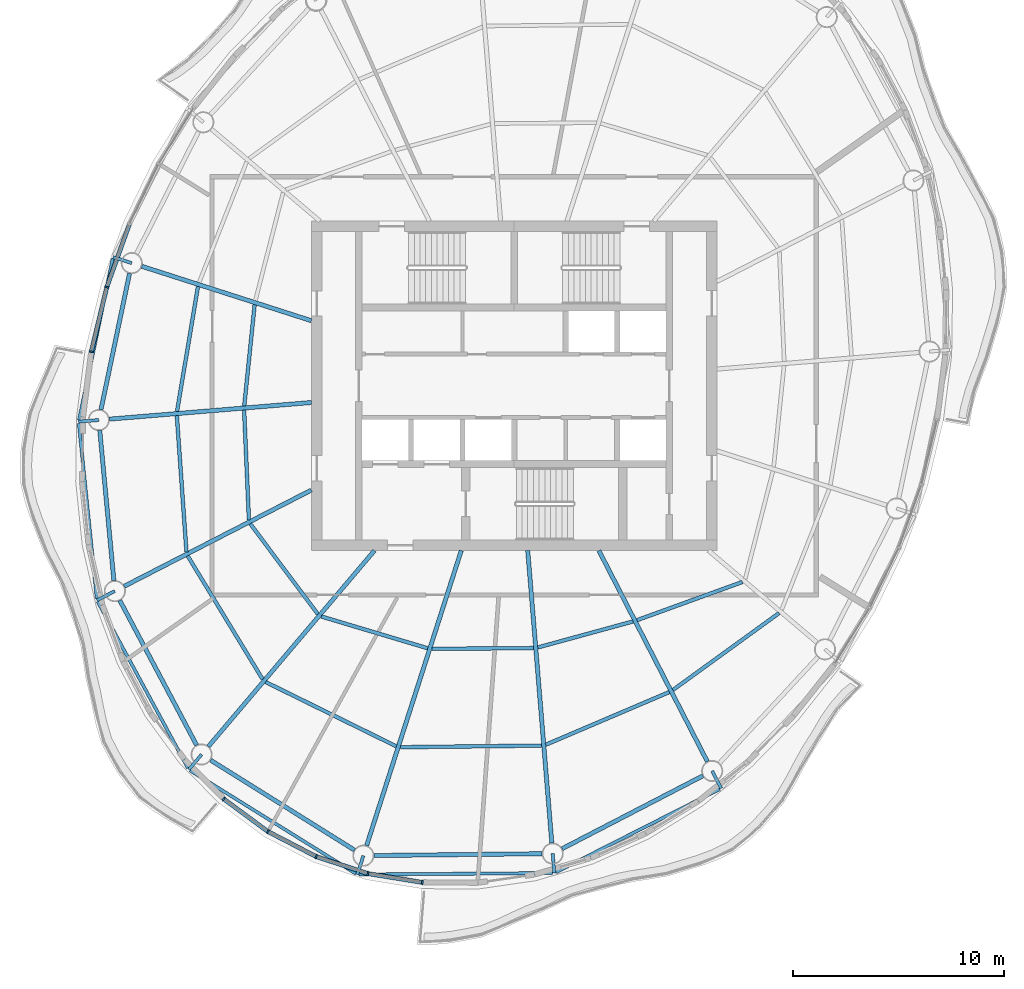
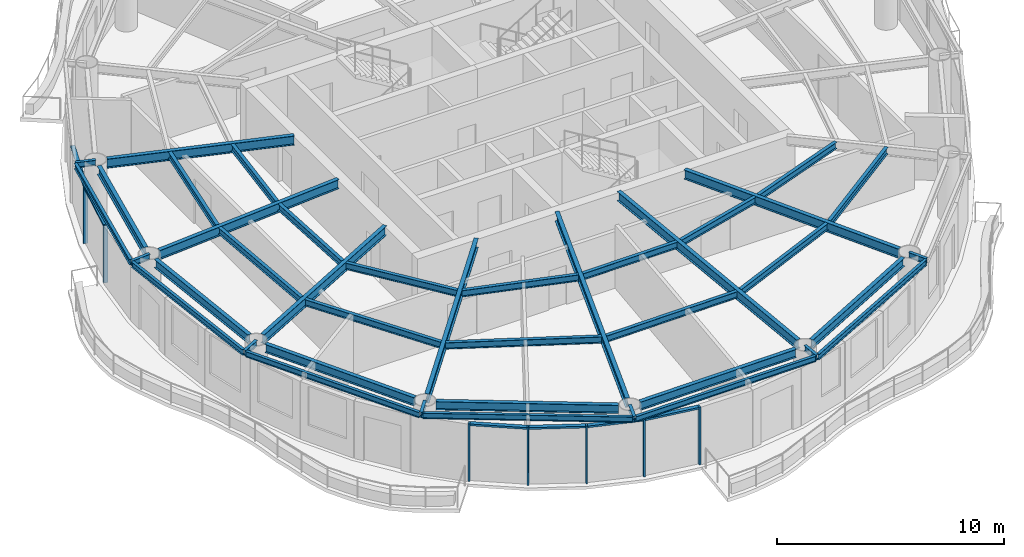
# One storey, part 2 of 13: 40 beams, 13 members, 6 elements without a shape of their own.
"""IFC4 building model written with IfcOpenShell, lengths in metres."""

import ifcopenshell
import ifcopenshell.guid

model = None  # the IFC model being written
_history = None  # IfcOwnerHistory: only IFC2X3 demands one
_inside = {}  # id of a spatial element -> (the spatial element, [elements in it])
_under = {}  # id of a project, library or spatial element -> (it, [spatial elements below it])
_declared = {}  # id of a project -> (the project, [libraries it declares])
_typed = {}  # id of a type object -> (the type object, [elements of that type])
_made_of = {}  # id of a material, layer set ... -> (it, [elements and type objects made of it])


def new_model(schema):
    """Start an empty IFC model of exactly this schema.

    Asked for "IFC4X3", IfcOpenShell would pick the latest addendum, in which some entities
    have other attributes; the version numbers below select the first issue.
    IFC2X3 requires an IfcOwnerHistory on every rooted entity: one is made here for all.
    """
    global model, _history
    if schema == "IFC4X3":
        model = ifcopenshell.file(schema_version=(4, 3, 0, 0))
    else:
        model = ifcopenshell.file(schema=schema)
    _inside.clear()
    _under.clear()
    _declared.clear()
    _typed.clear()
    _made_of.clear()
    _history = None
    if model.schema == "IFC2X3":
        org = make("IfcOrganization", Name="unknown")
        user = make(
            "IfcPersonAndOrganization",
            ThePerson=make("IfcPerson", FamilyName="unknown"),
            TheOrganization=org,
        )
        app = make(
            "IfcApplication",
            ApplicationDeveloper=org,
            Version="unknown",
            ApplicationFullName="unknown",
            ApplicationIdentifier="unknown",
        )
        _history = make(
            "IfcOwnerHistory",
            OwningUser=user,
            OwningApplication=app,
            ChangeAction="ADDED",
            CreationDate=0,
        )
    return model


def make(cls, **values):
    """One entity of the class cls with the attributes given. An attribute that is None is left unset."""
    return model.create_entity(
        cls, **{name: value for name, value in values.items() if value is not None}
    )


def rooted(cls, **values):
    """An entity with a GlobalId (a new one), such as an element, a storey or a relation."""
    return make(cls, GlobalId=ifcopenshell.guid.new(), OwnerHistory=_history, **values)


def si_unit(unit_type, name, prefix=None):
    """IfcSIUnit, for example si_unit("LENGTHUNIT", "METRE", prefix="MILLI")."""
    return make("IfcSIUnit", UnitType=unit_type, Prefix=prefix, Name=name)


def assignment(units):
    """IfcUnitAssignment: the units of a project."""
    return None if units is None else make("IfcUnitAssignment", Units=units)


def point(xyz):
    """IfcCartesianPoint."""
    return None if xyz is None else make("IfcCartesianPoint", Coordinates=xyz)


def direction(xyz):
    """IfcDirection."""
    return None if xyz is None else make("IfcDirection", DirectionRatios=xyz)


def frame(location, z_axis=None, x_axis=None):
    """IfcAxis2Placement3D, a coordinate frame: its origin and axes. An axis left out is left unset."""
    return make(
        "IfcAxis2Placement3D",
        Location=point(location),
        Axis=direction(z_axis),
        RefDirection=direction(x_axis),
    )


def frame_2d(location, x_axis=None):
    """IfcAxis2Placement2D, a coordinate frame in the plane: its origin and x axis."""
    return make(
        "IfcAxis2Placement2D", Location=point(location), RefDirection=direction(x_axis)
    )


def origin():
    """The frame at (0, 0, 0) with its axes left unset."""
    return frame((0.0, 0.0, 0.0))


def origin_2d():
    """The frame at (0, 0) in the plane with its x axis left unset."""
    return frame_2d((0.0, 0.0))


def place(relative_to, where):
    """IfcLocalPlacement: puts the frame where relative to a parent placement (None: the world)."""
    return make(
        "IfcLocalPlacement", PlacementRelTo=relative_to, RelativePlacement=where
    )


def context(
    kind, dimensions, precision=None, world=None, true_north=None, identifier=None
):
    """IfcGeometricRepresentationContext, for example the 3D "Model" context."""
    return make(
        "IfcGeometricRepresentationContext",
        ContextIdentifier=identifier,
        ContextType=kind,
        CoordinateSpaceDimension=dimensions,
        Precision=precision,
        WorldCoordinateSystem=world,
        TrueNorth=true_north,
    )


def subcontext(parent, identifier, kind, view, scale=None):
    """IfcGeometricRepresentationSubContext, for example "Body" below "Model"."""
    return make(
        "IfcGeometricRepresentationSubContext",
        ContextIdentifier=identifier,
        ContextType=kind,
        ParentContext=parent,
        TargetScale=scale,
        TargetView=view,
    )


def project(units=None, contexts=None):
    """IfcProject with its units and contexts."""
    return rooted(
        "IfcProject",
        Name="project",
        RepresentationContexts=contexts,
        UnitsInContext=assignment(units),
    )


def spatial(cls, under=None, at=None, **own):
    """A site, building, storey or space (cls), placed at a placement, below another one or the project."""
    s = rooted(cls, ObjectPlacement=at, **own)
    if under is not None:
        _under.setdefault(under.id(), (under, []))[1].append(s)
    return s


def profile(cls, at=None, kind="AREA", **sizes):
    """A parametric profile (cls). Its sizes go by their IFC names, for example OverallWidth=200.0."""
    return make(cls, ProfileType=kind, Position=at, **sizes)


def rectangle(**sizes):
    """IfcRectangleProfileDef."""
    return profile("IfcRectangleProfileDef", **sizes)


def i_section(**sizes):
    """IfcIShapeProfileDef."""
    return profile("IfcIShapeProfileDef", **sizes)


def extrude(swept, where, along, depth):
    """IfcExtrudedAreaSolid: the profile swept, set in the frame where, extruded along a direction by depth."""
    return make(
        "IfcExtrudedAreaSolid",
        SweptArea=swept,
        Position=where,
        ExtrudedDirection=direction(along),
        Depth=depth,
    )


def shape(context_of_items, identifier, shape_type, items):
    """IfcShapeRepresentation: the items that make up one representation, for example the "Body"."""
    return make(
        "IfcShapeRepresentation",
        ContextOfItems=context_of_items,
        RepresentationIdentifier=identifier,
        RepresentationType=shape_type,
        Items=items,
    )


def material(Name=None, Category=None):
    """IfcMaterial."""
    return make("IfcMaterial", Name=Name, Category=Category)


def material_profile(
    of_material, cross_section, Name=None, Category=None, Priority=None
):
    """IfcMaterialProfile: a cross section and its material."""
    return make(
        "IfcMaterialProfile",
        Name=Name,
        Material=of_material,
        Profile=cross_section,
        Priority=Priority,
        Category=Category,
    )


def profile_set(profiles, Name=None, composite=None):
    """IfcMaterialProfileSet."""
    return make(
        "IfcMaterialProfileSet",
        Name=Name,
        MaterialProfiles=profiles,
        CompositeProfile=composite,
    )


def made_of(thing, what):
    """Note that an element or type object is made of a material, layer set ...; save() writes the relation."""
    if what is not None:
        _made_of.setdefault(what.id(), (what, []))[1].append(thing)
    return thing


def type_object(cls, material=None, **own):
    """A type object (cls), such as IfcWallType, which elements share."""
    return made_of(rooted(cls, **own), material)


def element(
    cls,
    number,
    at=None,
    inside=None,
    cuts=None,
    type_object=None,
    material=None,
    context=None,
    identifier="Body",
    shape_type=None,
    held_by="IfcProductDefinitionShape",
    body=None,
    shapes=None,
    **own,
):
    """One element of the class cls, such as IfcWall. Its Tag is "e" and its number.

    at: its placement. inside: the storey or other place that contains it. cuts: it is an
    opening in that element (IfcRelVoidsElement). A single representation is given by context,
    identifier, shape_type and body (its items); several are given by shapes. held_by: the class
    of the entity that holds the representations. save() writes the other relations.
    """
    e = rooted(cls, Tag="e%d" % number, ObjectPlacement=at, **own)
    if body is not None:
        shapes = [shape(context, identifier, shape_type, body)]
    if shapes is not None:
        e.Representation = make(held_by, Representations=shapes)
    if inside is not None:
        _inside.setdefault(inside.id(), (inside, []))[1].append(e)
    if cuts is not None:
        rooted(
            "IfcRelVoidsElement", RelatingBuildingElement=cuts, RelatedOpeningElement=e
        )
    if type_object is not None:
        _typed.setdefault(type_object.id(), (type_object, []))[1].append(e)
    return made_of(e, material)


def aggregate(whole, parts):
    """IfcRelAggregates: a whole, such as a stair, and the parts it consists of."""
    return rooted("IfcRelAggregates", RelatingObject=whole, RelatedObjects=parts)


def save(model, path):
    """Write the relations noted so far, then the file.

    IfcRelAggregates (storeys below a building ...), IfcRelContainedInSpatialStructure (elements
    in a storey), IfcRelDefinesByType, IfcRelAssociatesMaterial and IfcRelDeclares: one each for
    every whole, place, type object, material and project.
    """
    for whole, parts in _under.values():
        aggregate(whole, parts)
    for where, things in _inside.values():
        rooted(
            "IfcRelContainedInSpatialStructure",
            RelatedElements=things,
            RelatingStructure=where,
        )
    for kind, things in _typed.values():
        rooted("IfcRelDefinesByType", RelatedObjects=things, RelatingType=kind)
    for what, things in _made_of.values():
        rooted("IfcRelAssociatesMaterial", RelatedObjects=things, RelatingMaterial=what)
    for by, libraries in _declared.values():
        rooted("IfcRelDeclares", RelatingContext=by, RelatedDefinitions=libraries)
    model.write(path)


model = new_model("IFC4")

# Units and contexts
model_context = context("Model", 3, precision=1e-05, world=origin(), true_north=direction((0.0, 1.0)))
body_context = subcontext(model_context, "Body", "Model", "MODEL_VIEW")
ifc_project = project(units=[si_unit("LENGTHUNIT", "METRE"), si_unit("AREAUNIT", "SQUARE_METRE"), si_unit("VOLUMEUNIT", "CUBIC_METRE"), si_unit("PLANEANGLEUNIT", "RADIAN"), si_unit("MASSUNIT", "GRAM", prefix="KILO")], contexts=[model_context])

# Site, building, storey
site_placement = place(None, origin())
site = spatial("IfcSite", under=ifc_project, at=site_placement, CompositionType="ELEMENT")
building_placement = place(site_placement, origin())
building = spatial("IfcBuilding", under=site, at=building_placement, Name="Vermilion Reach Broadcast Tower", CompositionType="ELEMENT")
storey_placement = place(building_placement, frame((0.0, 0.0, 300.89990234375)))
storey = spatial("IfcBuildingStorey", under=building, at=storey_placement, Name="L75", CompositionType="ELEMENT", Elevation=300.89990234375)

# Beams
ifc_material_1 = material(Name="Steel S355J2", Category="steel")
ifc_material_profile_1 = material_profile(ifc_material_1, i_section(OverallWidth=0.14990234375, OverallDepth=0.300048828125, WebThickness=0.006591796875, FlangeThickness=0.009033203125, at=origin_2d()), Name="S355J2 HN 300x150x6.5x9")
ifc_profile_set_1 = profile_set([ifc_material_profile_1], Name="Steel S355J2")
beam_type_1 = type_object("IfcBeamType", Name="EB5 HN 300x150x6.5x9", PredefinedType="BEAM", material=ifc_profile_set_1)
beam_1_placement = place(storey_placement, frame((-25.00439453125, 6.019287109375, 3.25), z_axis=(-0.204738436734, -0.978816720599, 0.0), x_axis=(0.978816720599, -0.204738436734, 0.0)))
element("IfcBeam", 1, at=beam_1_placement, inside=storey, type_object=beam_type_1, Name="Edge beam EB5-05", PredefinedType="BEAM", context=body_context, shape_type="SweptSolid", body=[
    extrude(i_section(OverallWidth=0.14990234375, OverallDepth=0.300048828125, WebThickness=0.006591796875, FlangeThickness=0.009033203125, at=origin_2d()), origin(), (0.0, 0.0, 1.0), 7.806884765625),
])
beam_2_placement = place(storey_placement, frame((-26.611083984375, -1.7734375, 3.25), z_axis=(0.102011792202, -0.99478318957, 0.0), x_axis=(0.99478318957, 0.102011792202, 0.0)))
element("IfcBeam", 2, at=beam_2_placement, inside=storey, type_object=beam_type_1, Name="Edge beam EB5-06", PredefinedType="BEAM", context=body_context, shape_type="SweptSolid", body=[
    extrude(i_section(OverallWidth=0.14990234375, OverallDepth=0.300048828125, WebThickness=0.006591796875, FlangeThickness=0.009033203125, at=origin_2d()), origin(), (0.0, 0.0, 1.0), 8.34521484375),
])
beam_3_placement = place(storey_placement, frame((-25.7158203125, -10.22119140625, 3.25), z_axis=(0.476526173128, -0.879160284774, 0.0), x_axis=(0.879160284774, 0.476526173128, 0.0)))
element("IfcBeam", 3, at=beam_3_placement, inside=storey, type_object=beam_type_1, Name="Edge beam EB5-07", PredefinedType="BEAM", context=body_context, shape_type="SweptSolid", body=[
    extrude(i_section(OverallWidth=0.14990234375, OverallDepth=0.300048828125, WebThickness=0.006591796875, FlangeThickness=0.009033203125, at=origin_2d()), origin(), (0.0, 0.0, 1.0), 8.9638671875),
])
beam_4_placement = place(storey_placement, frame((-21.341552734375, -18.212646484375, 3.25), z_axis=(0.848928421209, -0.528507838791, 0.0), x_axis=(0.528507838791, 0.848928421209, 0.0)))
element("IfcBeam", 4, at=beam_4_placement, inside=storey, type_object=beam_type_1, Name="Edge beam EB5-08", PredefinedType="BEAM", context=body_context, shape_type="SweptSolid", body=[
    extrude(i_section(OverallWidth=0.14990234375, OverallDepth=0.300048828125, WebThickness=0.006591796875, FlangeThickness=0.009033203125, at=origin_2d()), origin(), (0.0, 0.0, 1.0), 9.24755859375),
])
beam_5_placement = place(storey_placement, frame((-13.346435546875, -23.140380859375, 3.25), z_axis=(0.999971629622, 0.007532592595, 0.0), x_axis=(-0.007532592595, 0.999971629622, 0.0)))
element("IfcBeam", 5, at=beam_5_placement, inside=storey, type_object=beam_type_1, Name="Edge beam EB5-09", PredefinedType="BEAM", context=body_context, shape_type="SweptSolid", body=[
    extrude(i_section(OverallWidth=0.14990234375, OverallDepth=0.300048828125, WebThickness=0.006591796875, FlangeThickness=0.009033203125, at=origin_2d()), origin(), (0.0, 0.0, 1.0), 9.17236328125),
])
beam_6_placement = place(storey_placement, frame((-4.02685546875, -23.033935546875, 3.25), z_axis=(0.891604217889, 0.452815545936, 0.0), x_axis=(-0.452815545936, 0.891604217889, 0.0)))
element("IfcBeam", 6, at=beam_6_placement, inside=storey, type_object=beam_type_1, Name="Edge beam EB5-10", PredefinedType="BEAM", context=body_context, shape_type="SweptSolid", body=[
    extrude(i_section(OverallWidth=0.14990234375, OverallDepth=0.300048828125, WebThickness=0.006591796875, FlangeThickness=0.009033203125, at=origin_2d()), origin(), (0.0, 0.0, 1.0), 8.70263671875),
])
ifc_material_2 = material(Name="Steel S355J2", Category="steel")
ifc_material_profile_2 = material_profile(ifc_material_2, i_section(OverallWidth=0.199951171875, OverallDepth=0.5, WebThickness=0.010009765625, FlangeThickness=0.01611328125, at=origin_2d()), Name="S355J2 HN 500x200x10x16")
ifc_profile_set_2 = profile_set([ifc_material_profile_2], Name="Steel S355J2")
beam_type_2 = type_object("IfcBeamType", Name="G5 HN 500x200x10x16", PredefinedType="BEAM", material=ifc_profile_set_2)
beam_7_placement = place(storey_placement, frame((-15.60009765625, 3.080322265625, 3.150146484375), z_axis=(-0.952178453449, 0.305542456604, 0.0), x_axis=(-0.305542456604, -0.952178453449, 0.0)))
element("IfcBeam", 7, at=beam_7_placement, inside=storey, type_object=beam_type_2, Name="Girder G5-05", PredefinedType="BEAM", context=body_context, shape_type="SweptSolid", body=[
    extrude(i_section(OverallWidth=0.199951171875, OverallDepth=0.5, WebThickness=0.010009765625, FlangeThickness=0.01611328125, at=origin_2d()), origin(), (0.0, 0.0, 1.0), 8.43310546875),
])
beam_8_placement = place(storey_placement, frame((-15.60009765625, -0.791015625, 3.150146484375), z_axis=(-0.996624410075, -0.082096195058, 0.0), x_axis=(0.082096195058, -0.996624410075, 0.0)))
element("IfcBeam", 8, at=beam_8_placement, inside=storey, type_object=beam_type_2, Name="Girder G5-06", PredefinedType="BEAM", context=body_context, shape_type="SweptSolid", body=[
    extrude(i_section(OverallWidth=0.199951171875, OverallDepth=0.5, WebThickness=0.010009765625, FlangeThickness=0.01611328125, at=origin_2d()), origin(), (0.0, 0.0, 1.0), 9.599609375),
])
beam_9_placement = place(storey_placement, frame((-15.60009765625, -4.935791015625, 3.150146484375), z_axis=(-0.889332502449, -0.457261085254, 0.0), x_axis=(0.457261085254, -0.889332502449, 0.0)))
element("IfcBeam", 9, at=beam_9_placement, inside=storey, type_object=beam_type_2, Name="Girder G5-07", PredefinedType="BEAM", context=body_context, shape_type="SweptSolid", body=[
    extrude(i_section(OverallWidth=0.199951171875, OverallDepth=0.5, WebThickness=0.010009765625, FlangeThickness=0.01611328125, at=origin_2d()), origin(), (0.0, 0.0, 1.0), 9.96337890625),
])
beam_10_placement = place(storey_placement, frame((-12.612548828125, -7.800048828125, 3.150146484375), z_axis=(-0.646658335602, -0.762779782766, 0.0), x_axis=(0.762779782766, -0.646658335602, 0.0)))
element("IfcBeam", 10, at=beam_10_placement, inside=storey, type_object=beam_type_2, Name="Girder G5-08", PredefinedType="BEAM", context=body_context, shape_type="SweptSolid", body=[
    extrude(i_section(OverallWidth=0.199951171875, OverallDepth=0.5, WebThickness=0.010009765625, FlangeThickness=0.01611328125, at=origin_2d()), origin(), (0.0, 0.0, 1.0), 12.16064453125),
])
beam_11_placement = place(storey_placement, frame((-8.502685546875, -7.800048828125, 3.150146484375), z_axis=(-0.305545401295, -0.952177508528, 0.0), x_axis=(0.952177508528, -0.305545401295, 0.0)))
element("IfcBeam", 11, at=beam_11_placement, inside=storey, type_object=beam_type_2, Name="Girder G5-09", PredefinedType="BEAM", context=body_context, shape_type="SweptSolid", body=[
    extrude(i_section(OverallWidth=0.199951171875, OverallDepth=0.5, WebThickness=0.010009765625, FlangeThickness=0.01611328125, at=origin_2d()), origin(), (0.0, 0.0, 1.0), 14.672607421875),
])
beam_12_placement = place(storey_placement, frame((-5.357421875, -7.800048828125, 3.150146484375), z_axis=(0.082123744247, -0.996622140347, 0.0), x_axis=(0.996622140347, 0.082123744247, 0.0)))
element("IfcBeam", 12, at=beam_12_placement, inside=storey, type_object=beam_type_2, Name="Girder G5-10", PredefinedType="BEAM", context=body_context, shape_type="SweptSolid", body=[
    extrude(i_section(OverallWidth=0.199951171875, OverallDepth=0.5, WebThickness=0.010009765625, FlangeThickness=0.01611328125, at=origin_2d()), origin(), (0.0, 0.0, 1.0), 13.89794921875),
])
beam_13_placement = place(storey_placement, frame((-1.989501953125, -7.800048828125, 3.150146484375), z_axis=(0.457258168112, -0.889334002327, 0.0), x_axis=(0.889334002327, 0.457258168112, 0.0)))
element("IfcBeam", 13, at=beam_13_placement, inside=storey, type_object=beam_type_2, Name="Girder G5-11", PredefinedType="BEAM", context=body_context, shape_type="SweptSolid", body=[
    extrude(i_section(OverallWidth=0.199951171875, OverallDepth=0.5, WebThickness=0.010009765625, FlangeThickness=0.01611328125, at=origin_2d()), origin(), (0.0, 0.0, 1.0), 11.236328125),
])
ifc_material_3 = material(Name="Steel S355J2", Category="steel")
ifc_material_profile_3 = material_profile(ifc_material_3, i_section(OverallWidth=0.14990234375, OverallDepth=0.300048828125, WebThickness=0.006591796875, FlangeThickness=0.009033203125, at=origin_2d()), Name="S355J2 HN 300x150x6.5x9")
ifc_profile_set_3 = profile_set([ifc_material_profile_3], Name="Steel S355J2")
beam_type_3 = type_object("IfcBeamType", Name="GS5 HN 300x150x6.5x9", PredefinedType="BEAM", material=ifc_profile_set_3)
beam_14_placement = place(storey_placement, frame((-24.10595703125, 5.809814453125, 3.25), z_axis=(-0.952228317443, 0.305387019141, 0.0), x_axis=(-0.305387019141, -0.952228317443, 0.0)))
element("IfcBeam", 14, at=beam_14_placement, inside=storey, type_object=beam_type_3, Name="Cantilever stub GS5-05", PredefinedType="BEAM", context=body_context, shape_type="SweptSolid", body=[
    extrude(i_section(OverallWidth=0.14990234375, OverallDepth=0.300048828125, WebThickness=0.006591796875, FlangeThickness=0.009033203125, at=origin_2d()), origin(), (0.0, 0.0, 1.0), 0.92724609375),
])
beam_15_placement = place(storey_placement, frame((-25.665771484375, -1.620361328125, 3.25), z_axis=(-0.996634988565, -0.081967673925, 0.0), x_axis=(0.081967673925, -0.996634988565, 0.0)))
element("IfcBeam", 15, at=beam_15_placement, inside=storey, type_object=beam_type_3, Name="Cantilever stub GS5-06", PredefinedType="BEAM", context=body_context, shape_type="SweptSolid", body=[
    extrude(i_section(OverallWidth=0.14990234375, OverallDepth=0.300048828125, WebThickness=0.006591796875, FlangeThickness=0.009033203125, at=origin_2d()), origin(), (0.0, 0.0, 1.0), 0.9560546875),
])
beam_16_placement = place(storey_placement, frame((-24.905517578125, -9.72021484375, 3.25), z_axis=(-0.88934146644, -0.457243650662, 0.0), x_axis=(0.457243650662, -0.88934146644, 0.0)))
element("IfcBeam", 16, at=beam_16_placement, inside=storey, type_object=beam_type_3, Name="Cantilever stub GS5-07", PredefinedType="BEAM", context=body_context, shape_type="SweptSolid", body=[
    extrude(i_section(OverallWidth=0.14990234375, OverallDepth=0.300048828125, WebThickness=0.006591796875, FlangeThickness=0.009033203125, at=origin_2d()), origin(), (0.0, 0.0, 1.0), 0.951416015625),
])
beam_17_placement = place(storey_placement, frame((-20.799560546875, -17.457275390625, 3.25), z_axis=(-0.646665495652, -0.762773712665, 0.0), x_axis=(0.762773712665, -0.646665495652, 0.0)))
element("IfcBeam", 17, at=beam_17_placement, inside=storey, type_object=beam_type_3, Name="Cantilever stub GS5-08", PredefinedType="BEAM", context=body_context, shape_type="SweptSolid", body=[
    extrude(i_section(OverallWidth=0.14990234375, OverallDepth=0.300048828125, WebThickness=0.006591796875, FlangeThickness=0.009033203125, at=origin_2d()), origin(), (0.0, 0.0, 1.0), 0.937744140625),
])
beam_18_placement = place(storey_placement, frame((-13.138427734375, -22.2470703125, 3.25), z_axis=(-0.305596628184, -0.95216106875, 0.0), x_axis=(0.95216106875, -0.305596628184, 0.0)))
element("IfcBeam", 18, at=beam_18_placement, inside=storey, type_object=beam_type_3, Name="Cantilever stub GS5-09", PredefinedType="BEAM", context=body_context, shape_type="SweptSolid", body=[
    extrude(i_section(OverallWidth=0.14990234375, OverallDepth=0.300048828125, WebThickness=0.006591796875, FlangeThickness=0.009033203125, at=origin_2d()), origin(), (0.0, 0.0, 1.0), 0.938720703125),
])
beam_19_placement = place(storey_placement, frame((-4.175048828125, -22.1494140625, 3.25), z_axis=(0.082149174093, -0.996620044548, 0.0), x_axis=(0.996620044548, 0.082149174093, 0.0)))
element("IfcBeam", 19, at=beam_19_placement, inside=storey, type_object=beam_type_3, Name="Cantilever stub GS5-10", PredefinedType="BEAM", context=body_context, shape_type="SweptSolid", body=[
    extrude(i_section(OverallWidth=0.14990234375, OverallDepth=0.300048828125, WebThickness=0.006591796875, FlangeThickness=0.009033203125, at=origin_2d()), origin(), (0.0, 0.0, 1.0), 0.92431640625),
])
beam_20_placement = place(storey_placement, frame((3.376953125, -18.23779296875, 3.25), z_axis=(0.457228572872, -0.889349218333, 0.0), x_axis=(0.889349218333, 0.457228572872, 0.0)))
element("IfcBeam", 20, at=beam_20_placement, inside=storey, type_object=beam_type_3, Name="Cantilever stub GS5-11", PredefinedType="BEAM", context=body_context, shape_type="SweptSolid", body=[
    extrude(i_section(OverallWidth=0.14990234375, OverallDepth=0.300048828125, WebThickness=0.006591796875, FlangeThickness=0.009033203125, at=origin_2d()), origin(), (0.0, 0.0, 1.0), 0.923828125),
])
ifc_material_4 = material(Name="Steel S355J2", Category="steel")
ifc_material_profile_4 = material_profile(ifc_material_4, i_section(OverallWidth=0.199951171875, OverallDepth=0.449951171875, WebThickness=0.009033203125, FlangeThickness=0.013916015625, at=origin_2d()), Name="S355J2 HN 450x200x9x14")
ifc_profile_set_4 = profile_set([ifc_material_profile_4], Name="Steel S355J2")
beam_type_4 = type_object("IfcBeamType", Name="RB5 HN 450x200x9x14", PredefinedType="BEAM", material=ifc_profile_set_4)
beam_21_placement = place(storey_placement, frame((-24.208740234375, 5.3203125, 3.175048828125), z_axis=(-0.205444869285, -0.978668690459, 0.0), x_axis=(0.978668690459, -0.205444869285, 0.0)))
element("IfcBeam", 21, at=beam_21_placement, inside=storey, type_object=beam_type_4, Name="Ring beam RB5-05", PredefinedType="BEAM", context=body_context, shape_type="SweptSolid", body=[
    extrude(i_section(OverallWidth=0.199951171875, OverallDepth=0.449951171875, WebThickness=0.009033203125, FlangeThickness=0.013916015625, at=origin_2d()), origin(), (0.0, 0.0, 1.0), 6.591796875),
])
beam_22_placement = place(storey_placement, frame((-25.618896484375, -2.1181640625, 3.175048828125), z_axis=(0.093441399272, -0.995624781181, 0.0), x_axis=(0.995624781181, 0.093441399272, 0.0)))
element("IfcBeam", 22, at=beam_22_placement, inside=storey, type_object=beam_type_4, Name="Ring beam RB5-06", PredefinedType="BEAM", context=body_context, shape_type="SweptSolid", body=[
    extrude(i_section(OverallWidth=0.199951171875, OverallDepth=0.449951171875, WebThickness=0.009033203125, FlangeThickness=0.013916015625, at=origin_2d()), origin(), (0.0, 0.0, 1.0), 7.135498046875),
])
beam_23_placement = place(storey_placement, frame((-24.671142578125, -10.161865234375, 3.175048828125), z_axis=(0.468767917375, -0.883321368269, 0.0), x_axis=(0.883321368269, 0.468767917375, 0.0)))
element("IfcBeam", 23, at=beam_23_placement, inside=storey, type_object=beam_type_4, Name="Ring beam RB5-07", PredefinedType="BEAM", context=body_context, shape_type="SweptSolid", body=[
    extrude(i_section(OverallWidth=0.199951171875, OverallDepth=0.449951171875, WebThickness=0.009033203125, FlangeThickness=0.013916015625, at=origin_2d()), origin(), (0.0, 0.0, 1.0), 7.759033203125),
])
beam_24_placement = place(storey_placement, frame((-20.375732421875, -17.722412109375, 3.175048828125), z_axis=(0.847914653245, -0.530132757724, 0.0), x_axis=(0.530132757724, 0.847914653245, 0.0)))
element("IfcBeam", 24, at=beam_24_placement, inside=storey, type_object=beam_type_4, Name="Ring beam RB5-08", PredefinedType="BEAM", context=body_context, shape_type="SweptSolid", body=[
    extrude(i_section(OverallWidth=0.199951171875, OverallDepth=0.449951171875, WebThickness=0.009033203125, FlangeThickness=0.013916015625, at=origin_2d()), origin(), (0.0, 0.0, 1.0), 8.035400390625),
])
beam_25_placement = place(storey_placement, frame((-12.638427734375, -22.24169921875, 3.175048828125), z_axis=(0.999940445231, 0.010913569149, 0.0), x_axis=(-0.010913569149, 0.999940445231, 0.0)))
element("IfcBeam", 25, at=beam_25_placement, inside=storey, type_object=beam_type_4, Name="Ring beam RB5-09", PredefinedType="BEAM", context=body_context, shape_type="SweptSolid", body=[
    extrude(i_section(OverallWidth=0.199951171875, OverallDepth=0.449951171875, WebThickness=0.009033203125, FlangeThickness=0.013916015625, at=origin_2d()), origin(), (0.0, 0.0, 1.0), 7.9638671875),
])
beam_26_placement = place(storey_placement, frame((-3.731201171875, -21.91943359375, 3.175048828125), z_axis=(0.887960248279, 0.459920207729, 0.0), x_axis=(-0.459920207729, 0.887960248279, 0.0)))
element("IfcBeam", 26, at=beam_26_placement, inside=storey, type_object=beam_type_4, Name="Ring beam RB5-10", PredefinedType="BEAM", context=body_context, shape_type="SweptSolid", body=[
    extrude(i_section(OverallWidth=0.199951171875, OverallDepth=0.449951171875, WebThickness=0.009033203125, FlangeThickness=0.013916015625, at=origin_2d()), origin(), (0.0, 0.0, 1.0), 7.5048828125),
])
ifc_material_5 = material(Name="Steel S355J2", Category="steel")
ifc_material_profile_5 = material_profile(ifc_material_5, i_section(OverallWidth=0.175048828125, OverallDepth=0.35009765625, WebThickness=0.007080078125, FlangeThickness=0.010986328125, at=origin_2d()), Name="S355J2 HN 350x175x7x11")
ifc_profile_set_5 = profile_set([ifc_material_profile_5], Name="Steel S355J2")
beam_type_5 = type_object("IfcBeamType", Name="SB5 HN 350x175x7x11", PredefinedType="BEAM", material=ifc_profile_set_5)
beam_27_placement = place(storey_placement, frame((-18.287109375, 3.837646484375, 3.22509765625), z_axis=(-0.102113775264, -0.994772726255, 0.0), x_axis=(0.994772726255, -0.102113775264, 0.0)))
element("IfcBeam", 27, at=beam_27_placement, inside=storey, type_object=beam_type_5, Name="Secondary beam SB5-05-1", PredefinedType="BEAM", context=body_context, shape_type="SweptSolid", body=[
    extrude(i_section(OverallWidth=0.175048828125, OverallDepth=0.35009765625, WebThickness=0.007080078125, FlangeThickness=0.010986328125, at=origin_2d()), origin(), (0.0, 0.0, 1.0), 4.815185546875),
])
beam_28_placement = place(storey_placement, frame((-20.969970703125, 4.698486328125, 3.22509765625), z_axis=(-0.16532337011, -0.986239414795, 0.0), x_axis=(0.986239414795, -0.16532337011, 0.0)))
element("IfcBeam", 28, at=beam_28_placement, inside=storey, type_object=beam_type_5, Name="Secondary beam SB5-05-2", PredefinedType="BEAM", context=body_context, shape_type="SweptSolid", body=[
    extrude(i_section(OverallWidth=0.175048828125, OverallDepth=0.35009765625, WebThickness=0.007080078125, FlangeThickness=0.010986328125, at=origin_2d()), origin(), (0.0, 0.0, 1.0), 5.99560546875),
])
beam_29_placement = place(storey_placement, frame((-18.78466796875, -1.153564453125, 3.22509765625), z_axis=(0.043557530017, -0.999050920413, 0.0), x_axis=(0.999050920413, 0.043557530017, 0.0)))
element("IfcBeam", 29, at=beam_29_placement, inside=storey, type_object=beam_type_5, Name="Secondary beam SB5-06-1", PredefinedType="BEAM", context=body_context, shape_type="SweptSolid", body=[
    extrude(i_section(OverallWidth=0.175048828125, OverallDepth=0.35009765625, WebThickness=0.007080078125, FlangeThickness=0.010986328125, at=origin_2d()), origin(), (0.0, 0.0, 1.0), 5.19580078125),
])
beam_30_placement = place(storey_placement, frame((-21.97119140625, -1.416259765625, 3.22509765625), z_axis=(0.070586780458, -0.997505642302, 0.0), x_axis=(0.997505642302, 0.070586780458, 0.0)))
element("IfcBeam", 30, at=beam_30_placement, inside=storey, type_object=beam_type_5, Name="Secondary beam SB5-06-2", PredefinedType="BEAM", context=body_context, shape_type="SweptSolid", body=[
    extrude(i_section(OverallWidth=0.175048828125, OverallDepth=0.35009765625, WebThickness=0.007080078125, FlangeThickness=0.010986328125, at=origin_2d()), origin(), (0.0, 0.0, 1.0), 6.46435546875),
])
beam_31_placement = place(storey_placement, frame((-18.492919921875, -6.53564453125, 3.22509765625), z_axis=(0.599055582645, -0.800707442767, 0.0), x_axis=(0.800707442767, 0.599055582645, 0.0)))
element("IfcBeam", 31, at=beam_31_placement, inside=storey, type_object=beam_type_5, Name="Secondary beam SB5-07-1", PredefinedType="BEAM", context=body_context, shape_type="SweptSolid", body=[
    extrude(i_section(OverallWidth=0.175048828125, OverallDepth=0.35009765625, WebThickness=0.007080078125, FlangeThickness=0.010986328125, at=origin_2d()), origin(), (0.0, 0.0, 1.0), 5.337890625),
])
beam_32_placement = place(storey_placement, frame((-21.455078125, -8.058837890625, 3.22509765625), z_axis=(0.519272962556, -0.854608442714, 0.0), x_axis=(0.854608442714, 0.519272962556, 0.0)))
element("IfcBeam", 32, at=beam_32_placement, inside=storey, type_object=beam_type_5, Name="Secondary beam SB5-07-2", PredefinedType="BEAM", context=body_context, shape_type="SweptSolid", body=[
    extrude(i_section(OverallWidth=0.175048828125, OverallDepth=0.35009765625, WebThickness=0.007080078125, FlangeThickness=0.010986328125, at=origin_2d()), origin(), (0.0, 0.0, 1.0), 6.82763671875),
])
beam_33_placement = place(storey_placement, frame((-15.129150390625, -10.92333984375, 3.22509765625), z_axis=(0.958124906971, -0.286350593925, 0.0), x_axis=(0.286350593925, 0.958124906971, 0.0)))
element("IfcBeam", 33, at=beam_33_placement, inside=storey, type_object=beam_type_5, Name="Secondary beam SB5-08-1", PredefinedType="BEAM", context=body_context, shape_type="SweptSolid", body=[
    extrude(i_section(OverallWidth=0.175048828125, OverallDepth=0.35009765625, WebThickness=0.007080078125, FlangeThickness=0.010986328125, at=origin_2d()), origin(), (0.0, 0.0, 1.0), 5.25634765625),
])
beam_34_placement = place(storey_placement, frame((-17.762451171875, -14.029541015625, 3.22509765625), z_axis=(0.897335928087, -0.441348198325, 0.0), x_axis=(0.441348198325, 0.897335928087, 0.0)))
element("IfcBeam", 34, at=beam_34_placement, inside=storey, type_object=beam_type_5, Name="Secondary beam SB5-08-2", PredefinedType="BEAM", context=body_context, shape_type="SweptSolid", body=[
    extrude(i_section(OverallWidth=0.175048828125, OverallDepth=0.35009765625, WebThickness=0.007080078125, FlangeThickness=0.010986328125, at=origin_2d()), origin(), (0.0, 0.0, 1.0), 6.887451171875),
])
beam_35_placement = place(storey_placement, frame((-9.891845703125, -12.4560546875, 3.22509765625), z_axis=(0.999968312294, 0.007960804474, 0.0), x_axis=(-0.007960804474, 0.999968312294, 0.0)))
element("IfcBeam", 35, at=beam_35_placement, inside=storey, type_object=beam_type_5, Name="Secondary beam SB5-09-1", PredefinedType="BEAM", context=body_context, shape_type="SweptSolid", body=[
    extrude(i_section(OverallWidth=0.175048828125, OverallDepth=0.35009765625, WebThickness=0.007080078125, FlangeThickness=0.010986328125, at=origin_2d()), origin(), (0.0, 0.0, 1.0), 4.81494140625),
])
beam_36_placement = place(storey_placement, frame((-11.385986328125, -17.11279296875, 3.22509765625), z_axis=(0.999932654133, 0.011605481368, 0.0), x_axis=(-0.011605481368, 0.999932654133, 0.0)))
element("IfcBeam", 36, at=beam_36_placement, inside=storey, type_object=beam_type_5, Name="Secondary beam SB5-09-2", PredefinedType="BEAM", context=body_context, shape_type="SweptSolid", body=[
    extrude(i_section(OverallWidth=0.175048828125, OverallDepth=0.35009765625, WebThickness=0.007080078125, FlangeThickness=0.010986328125, at=origin_2d()), origin(), (0.0, 0.0, 1.0), 6.689697265625),
])
beam_37_placement = place(storey_placement, frame((-4.87890625, -12.39013671875, 3.22509765625), z_axis=(0.964547496851, 0.263909314573, 0.0), x_axis=(-0.263909314573, 0.964547496851, 0.0)))
element("IfcBeam", 37, at=beam_37_placement, inside=storey, type_object=beam_type_5, Name="Secondary beam SB5-10-1", PredefinedType="BEAM", context=body_context, shape_type="SweptSolid", body=[
    extrude(i_section(OverallWidth=0.175048828125, OverallDepth=0.35009765625, WebThickness=0.007080078125, FlangeThickness=0.010986328125, at=origin_2d()), origin(), (0.0, 0.0, 1.0), 4.6689453125),
])
beam_38_placement = place(storey_placement, frame((-4.49951171875, -16.99267578125, 3.22509765625), z_axis=(0.919880986172, 0.392197617637, 0.0), x_axis=(-0.392197617637, 0.919880986172, 0.0)))
element("IfcBeam", 38, at=beam_38_placement, inside=storey, type_object=beam_type_5, Name="Secondary beam SB5-10-2", PredefinedType="BEAM", context=body_context, shape_type="SweptSolid", body=[
    extrude(i_section(OverallWidth=0.175048828125, OverallDepth=0.35009765625, WebThickness=0.007080078125, FlangeThickness=0.010986328125, at=origin_2d()), origin(), (0.0, 0.0, 1.0), 6.351806640625),
])
beam_39_placement = place(storey_placement, frame((-0.18212890625, -11.0966796875, 3.22509765625), z_axis=(0.940220108875, 0.340567389613, 0.0), x_axis=(-0.340567389613, 0.940220108875, 0.0)))
element("IfcBeam", 39, at=beam_39_placement, inside=storey, type_object=beam_type_5, Name="Secondary beam SB5-11-1", PredefinedType="BEAM", context=body_context, shape_type="SweptSolid", body=[
    extrude(i_section(OverallWidth=0.175048828125, OverallDepth=0.35009765625, WebThickness=0.007080078125, FlangeThickness=0.010986328125, at=origin_2d()), origin(), (0.0, 0.0, 1.0), 5.303466796875),
])
beam_40_placement = place(storey_placement, frame((1.517578125, -14.402587890625, 3.22509765625), z_axis=(0.809771251518, 0.586745703192, 0.0), x_axis=(-0.586745703192, 0.809771251518, 0.0)))
element("IfcBeam", 40, at=beam_40_placement, inside=storey, type_object=beam_type_5, Name="Secondary beam SB5-11-2", PredefinedType="BEAM", context=body_context, shape_type="SweptSolid", body=[
    extrude(i_section(OverallWidth=0.175048828125, OverallDepth=0.35009765625, WebThickness=0.007080078125, FlangeThickness=0.010986328125, at=origin_2d()), origin(), (0.0, 0.0, 1.0), 6.20361328125),
])

# Curtain wall, members
ifc_material_6 = material(Name="Low-e laminated clear glass in aluminium frame", Category="aluminium")
curtain_wall_type = type_object("IfcCurtainWallType", Name="Slot curtain wall", PredefinedType="NOTDEFINED", material=ifc_material_6)
placement = place(storey_placement, origin())
curtain_wall_1 = element("IfcCurtainWall", 41, at=placement, inside=storey, type_object=curtain_wall_type, Name="Slot curtain wall L75 13", PredefinedType="NOTDEFINED")
ifc_material_7 = material(Name="Anodised aluminium", Category="aluminium")
ifc_material_profile_6 = material_profile(ifc_material_7, rectangle(XDim=0.199951171875, YDim=0.080078125, at=origin_2d()), Name="Slot mullion 80 x 200")
ifc_profile_set_6 = profile_set([ifc_material_profile_6], Name="Anodised aluminium")
member_type_1 = type_object("IfcMemberType", Name="Slot mullion 80 x 200", PredefinedType="MULLION", material=ifc_profile_set_6)
member_1_placement = place(storey_placement, frame((-25.28515625, 4.675537109375, 0.0), z_axis=(0.0, 0.0, 1.0), x_axis=(0.95815247884, -0.28625832266, 0.0)))
member_1 = element("IfcMember", 42, at=member_1_placement, type_object=member_type_1, Name="Slot mullion L75 13", PredefinedType="MULLION", context=body_context, shape_type="SweptSolid", body=[
    extrude(rectangle(XDim=0.199951171875, YDim=0.080078125, at=origin_2d()), origin(), (0.0, 0.0, 1.0), 3.10009765625),
])
member_2_placement = place(storey_placement, frame((-26.022705078125, 1.613525390625, 0.0), z_axis=(0.0, 0.0, 1.0), x_axis=(0.983574551017, -0.180502361735, 0.0)))
member_2 = element("IfcMember", 43, at=member_2_placement, type_object=member_type_1, Name="Slot mullion L75 14", PredefinedType="MULLION", context=body_context, shape_type="SweptSolid", body=[
    extrude(rectangle(XDim=0.199951171875, YDim=0.080078125, at=origin_2d()), origin(), (0.0, 0.0, 1.0), 3.10009765625),
])

# Curtain wall, member
curtain_wall_2 = element("IfcCurtainWall", 44, at=placement, inside=storey, type_object=curtain_wall_type, Name="Slot curtain wall L75 22", PredefinedType="NOTDEFINED")
member_3_placement = place(storey_placement, frame((-19.7529296875, -19.5595703125, 0.0), z_axis=(0.0, 0.0, 1.0), x_axis=(0.654391461702, 0.756155946119, 0.0)))
member_3 = element("IfcMember", 45, at=member_3_placement, type_object=member_type_1, Name="Slot mullion L75 22", PredefinedType="MULLION", context=body_context, shape_type="SweptSolid", body=[
    extrude(rectangle(XDim=0.199951171875, YDim=0.080078125, at=origin_2d()), origin(), (0.0, 0.0, 1.0), 3.10009765625),
])

curtain_wall_3 = element("IfcCurtainWall", 46, at=placement, inside=storey, type_object=curtain_wall_type, Name="Slot curtain wall L75 23", PredefinedType="NOTDEFINED")
member_4_placement = place(storey_placement, frame((-17.660400390625, -21.10498046875, 0.0), z_axis=(0.0, 0.0, 1.0), x_axis=(0.528570623055, 0.848889331093, 0.0)))
member_4 = element("IfcMember", 47, at=member_4_placement, type_object=member_type_1, Name="Slot mullion L75 23", PredefinedType="MULLION", context=body_context, shape_type="SweptSolid", body=[
    extrude(rectangle(XDim=0.199951171875, YDim=0.080078125, at=origin_2d()), origin(), (0.0, 0.0, 1.0), 3.10009765625),
])

curtain_wall_4 = element("IfcCurtainWall", 48, at=placement, inside=storey, type_object=curtain_wall_type, Name="Slot curtain wall L75 24", PredefinedType="NOTDEFINED")
member_5_placement = place(storey_placement, frame((-15.3701171875, -22.290771484375, 0.0), z_axis=(0.0, 0.0, 1.0), x_axis=(0.387515479264, 0.921863196646, 0.0)))
member_5 = element("IfcMember", 49, at=member_5_placement, type_object=member_type_1, Name="Slot mullion L75 24", PredefinedType="MULLION", context=body_context, shape_type="SweptSolid", body=[
    extrude(rectangle(XDim=0.199951171875, YDim=0.080078125, at=origin_2d()), origin(), (0.0, 0.0, 1.0), 3.10009765625),
])

# Curtain wall, members
curtain_wall_5 = element("IfcCurtainWall", 50, at=placement, inside=storey, type_object=curtain_wall_type, Name="Slot curtain wall L75 25", PredefinedType="NOTDEFINED")
member_6_placement = place(storey_placement, frame((-12.920654296875, -23.097412109375, 0.0), z_axis=(0.0, 0.0, 1.0), x_axis=(0.236686841098, 0.971585991691, 0.0)))
member_6 = element("IfcMember", 51, at=member_6_placement, type_object=member_type_1, Name="Slot mullion L75 25", PredefinedType="MULLION", context=body_context, shape_type="SweptSolid", body=[
    extrude(rectangle(XDim=0.199951171875, YDim=0.080078125, at=origin_2d()), origin(), (0.0, 0.0, 1.0), 3.10009765625),
])
member_7_placement = place(storey_placement, frame((-10.352294921875, -23.51123046875, 0.0), z_axis=(0.0, 0.0, 1.0), x_axis=(0.082399302202, 0.996599395443, 0.0)))
member_7 = element("IfcMember", 52, at=member_7_placement, type_object=member_type_1, Name="Slot mullion L75 26", PredefinedType="MULLION", context=body_context, shape_type="SweptSolid", body=[
    extrude(rectangle(XDim=0.199951171875, YDim=0.080078125, at=origin_2d()), origin(), (0.0, 0.0, 1.0), 3.10009765625),
])

# Curtain wall, member
curtain_wall_6 = element("IfcCurtainWall", 53, at=placement, inside=storey, type_object=curtain_wall_type, Name="Slot curtain wall L75 12", PredefinedType="NOTDEFINED")
ifc_material_8 = material(Name="Anodised aluminium", Category="aluminium")
ifc_material_profile_7 = material_profile(ifc_material_8, rectangle(XDim=0.199951171875, YDim=0.10009765625, at=origin_2d()), Name="Slot transom 200 x 100")
ifc_profile_set_7 = profile_set([ifc_material_profile_7], Name="Anodised aluminium")
member_type_2 = type_object("IfcMemberType", Name="Slot transom 200 x 100", PredefinedType="USERDEFINED", material=ifc_profile_set_7)
member_8_placement = place(storey_placement, frame((-24.2294921875, 7.61962890625, 3.050048828125), z_axis=(-0.337543256367, -0.94131001805, 0.0), x_axis=(0.94131001805, -0.337543256367, 0.0)))
member_8 = element("IfcMember", 54, at=member_8_placement, type_object=member_type_2, Name="Slot transom L75 12.1", ObjectType="TRANSOM", PredefinedType="USERDEFINED", context=body_context, shape_type="SweptSolid", body=[
    extrude(rectangle(XDim=0.199951171875, YDim=0.10009765625, at=origin_2d()), origin(), (0.0, 0.0, 1.0), 3.087646484375),
])
aggregate(curtain_wall_6, [member_8])

# Member
member_9_placement = place(storey_placement, frame((-25.29443359375, 4.63671875, 3.050048828125), z_axis=(-0.234161039957, -0.972197823165, 0.0), x_axis=(0.972197823165, -0.234161039957, 0.0)))
member_9 = element("IfcMember", 55, at=member_9_placement, type_object=member_type_2, Name="Slot transom L75 13.1", ObjectType="TRANSOM", PredefinedType="USERDEFINED", context=body_context, shape_type="SweptSolid", body=[
    extrude(rectangle(XDim=0.199951171875, YDim=0.10009765625, at=origin_2d()), origin(), (0.0, 0.0, 1.0), 3.069580078125),
])

aggregate(curtain_wall_1, [member_1, member_2, member_9])

member_10_placement = place(storey_placement, frame((-19.720703125, -19.583251953125, 3.050048828125), z_axis=(0.804405501573, -0.594080625033, 0.0), x_axis=(0.594080625033, 0.804405501573, 0.0)))
member_10 = element("IfcMember", 56, at=member_10_placement, type_object=member_type_2, Name="Slot transom L75 22.1", ObjectType="TRANSOM", PredefinedType="USERDEFINED", context=body_context, shape_type="SweptSolid", body=[
    extrude(rectangle(XDim=0.199951171875, YDim=0.10009765625, at=origin_2d()), origin(), (0.0, 0.0, 1.0), 2.521240234375),
])

aggregate(curtain_wall_2, [member_3, member_10])

member_11_placement = place(storey_placement, frame((-17.624755859375, -21.123291015625, 3.050048828125), z_axis=(0.888026467208, -0.459792337406, 0.0), x_axis=(0.459792337406, 0.888026467208, 0.0)))
member_11 = element("IfcMember", 57, at=member_11_placement, type_object=member_type_2, Name="Slot transom L75 23.1", ObjectType="TRANSOM", PredefinedType="USERDEFINED", context=body_context, shape_type="SweptSolid", body=[
    extrude(rectangle(XDim=0.199951171875, YDim=0.10009765625, at=origin_2d()), origin(), (0.0, 0.0, 1.0), 2.498779296875),
])

aggregate(curtain_wall_3, [member_4, member_11])

member_12_placement = place(storey_placement, frame((-15.33203125, -22.30322265625, 3.050048828125), z_axis=(0.949839516453, -0.312737738343, 0.0), x_axis=(0.312737738343, 0.949839516453, 0.0)))
member_12 = element("IfcMember", 58, at=member_12_placement, type_object=member_type_2, Name="Slot transom L75 24.1", ObjectType="TRANSOM", PredefinedType="USERDEFINED", context=body_context, shape_type="SweptSolid", body=[
    extrude(rectangle(XDim=0.199951171875, YDim=0.10009765625, at=origin_2d()), origin(), (0.0, 0.0, 1.0), 2.498779296875),
])

aggregate(curtain_wall_4, [member_5, member_12])

member_13_placement = place(storey_placement, frame((-12.881103515625, -23.103759765625, 3.050048828125), z_axis=(0.987264188149, -0.15908935476, 0.0), x_axis=(0.15908935476, 0.987264188149, 0.0)))
member_13 = element("IfcMember", 59, at=member_13_placement, type_object=member_type_2, Name="Slot transom L75 25.1", ObjectType="TRANSOM", PredefinedType="USERDEFINED", context=body_context, shape_type="SweptSolid", body=[
    extrude(rectangle(XDim=0.199951171875, YDim=0.10009765625, at=origin_2d()), origin(), (0.0, 0.0, 1.0), 2.521484375),
])

aggregate(curtain_wall_5, [member_6, member_7, member_13])

save(model, "model.ifc")
